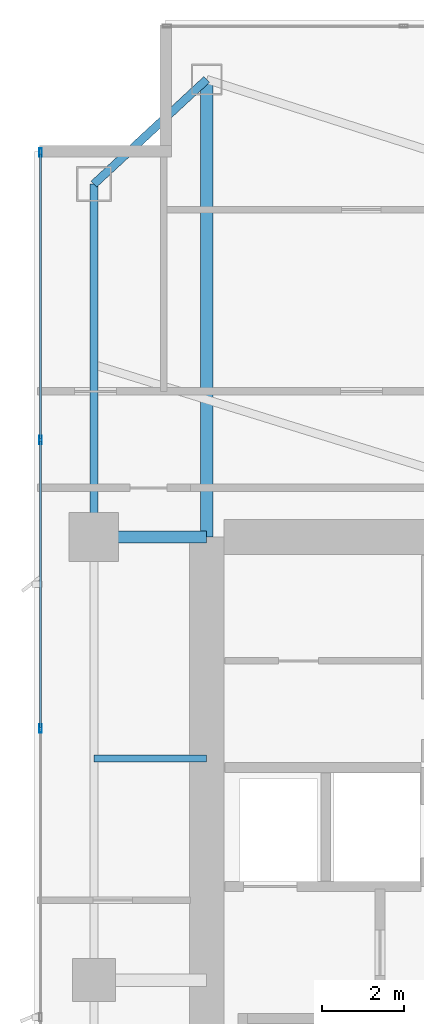
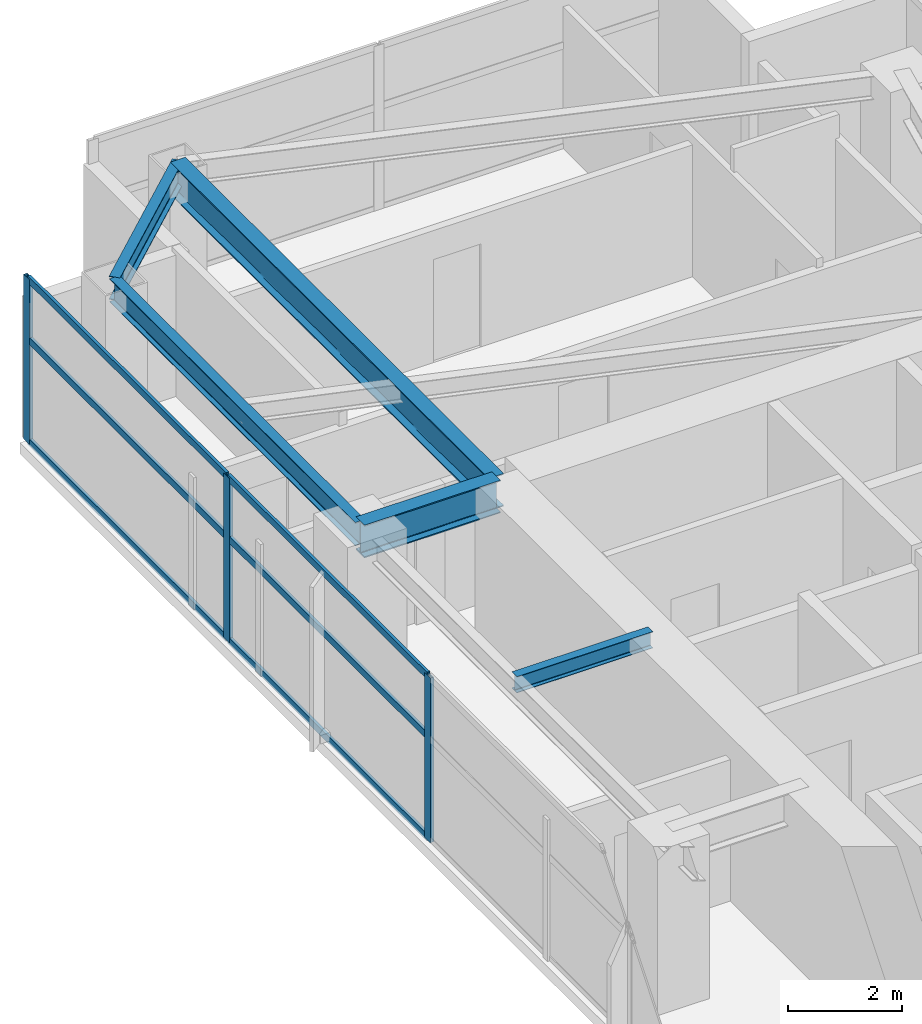
# One storey, part 16 of 28: 9 members, 5 beams, 1 element without a shape of its own.
"""IFC4 building model written with IfcOpenShell, lengths in metres."""

from ifc_helpers import new_model, si_unit, direction, frame, origin, origin_2d, place, context, subcontext, project, spatial, hollow_rectangle, i_section, extrude, material, layer, layer_set, material_profile, profile_set, type_object, element, aggregate, save


model = new_model("IFC4")

# Units and contexts
model_context = context("Model", 3, precision=1e-05, world=origin(), true_north=direction((0.0, 1.0)))
body_context = subcontext(model_context, "Body", "Model", "MODEL_VIEW")
ifc_project = project(units=[si_unit("LENGTHUNIT", "METRE"), si_unit("AREAUNIT", "SQUARE_METRE"), si_unit("VOLUMEUNIT", "CUBIC_METRE"), si_unit("PLANEANGLEUNIT", "RADIAN"), si_unit("MASSUNIT", "GRAM", prefix="KILO")], contexts=[model_context])

# Site, building, storey
site_placement = place(None, origin())
site = spatial("IfcSite", under=ifc_project, at=site_placement, CompositionType="ELEMENT")
building_placement = place(site_placement, origin())
building = spatial("IfcBuilding", under=site, at=building_placement, Name="Calvorn Quay Hotel", CompositionType="ELEMENT")
storey_placement = place(building_placement, frame((0.0, 0.0, 135.39990234375)))
storey = spatial("IfcBuildingStorey", under=building, at=storey_placement, Name="L33", CompositionType="ELEMENT", Elevation=135.39990234375)

# Beams
ifc_material_1 = material(Name="Steel Q390GJC", Category="steel")
ifc_material_profile_1 = material_profile(ifc_material_1, i_section(OverallWidth=0.300048828125, OverallDepth=0.699951171875, WebThickness=0.012939453125, FlangeThickness=0.02392578125, FilletRadius=0.02392578125, at=origin_2d()), Name="HN700x300x13x24")
ifc_profile_set_1 = profile_set([ifc_material_profile_1], Name="Steel Q390GJC")
beam_type_1 = type_object("IfcBeamType", Name="BM-GIRD-MAIN", PredefinedType="BEAM", material=ifc_profile_set_1)
beam_1_placement = place(storey_placement, frame((1.449951171875, 38.39990234375, 3.170166015625), z_axis=(1.0, 0.0, 0.0), x_axis=(0.0, 1.0, 0.0)))
element("IfcBeam", 1, at=beam_1_placement, inside=storey, type_object=beam_type_1, Name="Beam BG-L33-W3", PredefinedType="BEAM", context=body_context, shape_type="SweptSolid", body=[
    extrude(i_section(OverallWidth=0.300048828125, OverallDepth=0.699951171875, WebThickness=0.012939453125, FlangeThickness=0.02392578125, FilletRadius=0.02392578125, at=origin_2d()), origin(), (0.0, 0.0, 1.0), 2.75),
])
beam_2_placement = place(storey_placement, frame((4.199951171875, 49.550048828125, 3.170166015625), z_axis=(0.0, -1.0, 0.0), x_axis=(1.0, 0.0, 0.0)))
element("IfcBeam", 2, at=beam_2_placement, inside=storey, type_object=beam_type_1, Name="Beam BG-L33-W5", PredefinedType="BEAM", context=body_context, shape_type="SweptSolid", body=[
    extrude(i_section(OverallWidth=0.300048828125, OverallDepth=0.699951171875, WebThickness=0.012939453125, FlangeThickness=0.02392578125, FilletRadius=0.02392578125, at=origin_2d()), origin(), (0.0, 0.0, 1.0), 11.150146484375),
])
ifc_material_2 = material(Name="Steel Q355B", Category="steel")
ifc_material_profile_2 = material_profile(ifc_material_2, i_section(OverallWidth=0.175048828125, OverallDepth=0.35009765625, WebThickness=0.007080078125, FlangeThickness=0.010986328125, FilletRadius=0.013916015625, at=origin_2d()), Name="HN350x175x7x11")
ifc_profile_set_2 = profile_set([ifc_material_profile_2], Name="Steel Q355B")
beam_type_2 = type_object("IfcBeamType", Name="BM-JOIST-SEC", PredefinedType="JOIST", material=ifc_profile_set_2)
beam_3_placement = place(storey_placement, frame((1.449951171875, 33.0, 3.34521484375), z_axis=(1.0, 0.0, 0.0), x_axis=(0.0, 1.0, 0.0)))
element("IfcBeam", 3, at=beam_3_placement, inside=storey, type_object=beam_type_2, Name="Beam BJ-L33-W4", PredefinedType="JOIST", context=body_context, shape_type="SweptSolid", body=[
    extrude(i_section(OverallWidth=0.175048828125, OverallDepth=0.35009765625, WebThickness=0.007080078125, FlangeThickness=0.010986328125, FilletRadius=0.013916015625, at=origin_2d()), origin(), (0.0, 0.0, 1.0), 2.75),
])
ifc_material_3 = material(Name="Steel Q355B", Category="steel")
ifc_material_profile_3 = material_profile(ifc_material_3, i_section(OverallWidth=0.199951171875, OverallDepth=0.5, WebThickness=0.010009765625, FlangeThickness=0.01611328125, FilletRadius=0.01611328125, at=origin_2d()), Name="HN500x200x10x16")
ifc_profile_set_3 = profile_set([ifc_material_profile_3], Name="Steel Q355B")
beam_type_3 = type_object("IfcBeamType", Name="BM-SPANDREL-Z1", PredefinedType="SPANDREL", material=ifc_profile_set_3)
beam_4_placement = place(storey_placement, frame((1.449951171875, 38.39990234375, 3.27001953125), z_axis=(0.0, 1.0, 0.0), x_axis=(-1.0, 0.0, 0.0)))
element("IfcBeam", 4, at=beam_4_placement, inside=storey, type_object=beam_type_3, Name="Beam BSP-L33-W4", PredefinedType="SPANDREL", context=body_context, shape_type="SweptSolid", body=[
    extrude(i_section(OverallWidth=0.199951171875, OverallDepth=0.5, WebThickness=0.010009765625, FlangeThickness=0.01611328125, FilletRadius=0.01611328125, at=origin_2d()), origin(), (0.0, 0.0, 1.0), 8.60009765625),
])
beam_5_placement = place(storey_placement, frame((1.449951171875, 47.0, 3.27001953125), z_axis=(0.733261665538, 0.679946563969, 0.0), x_axis=(-0.679946563969, 0.733261665538, 0.0)))
element("IfcBeam", 5, at=beam_5_placement, inside=storey, type_object=beam_type_3, Name="Beam BSP-L33-W5", PredefinedType="SPANDREL", context=body_context, shape_type="SweptSolid", body=[
    extrude(i_section(OverallWidth=0.199951171875, OverallDepth=0.5, WebThickness=0.010009765625, FlangeThickness=0.01611328125, FilletRadius=0.01611328125, at=origin_2d()), origin(), (0.0, 0.0, 1.0), 3.75048828125),
])

# Curtain wall, members
ifc_material_4 = material(Name="Pale Anodised Aluminium and Low-E Glass", Category="aluminium")
ifc_layer = layer(ifc_material_4, 0.219970703125)
ifc_layer_set = layer_set([ifc_layer], Name="CW-SYS-Z2")
curtain_wall_type = type_object("IfcCurtainWallType", Name="CW-SYS-Z2", PredefinedType="NOTDEFINED", material=ifc_layer_set)
curtain_wall_placement = place(storey_placement, origin())
curtain_wall = element("IfcCurtainWall", 6, at=curtain_wall_placement, inside=storey, type_object=curtain_wall_type, Name="Tower West Curtain Wall (L33)", PredefinedType="NOTDEFINED")
ifc_material_5 = material(Name="Pale Anodised Aluminium 6063-T6", Category="aluminium")
ifc_material_profile_4 = material_profile(ifc_material_5, hollow_rectangle(XDim=0.070068359375, YDim=0.199951171875, WallThickness=0.00390625, at=origin_2d()), Name="ALU-M200x70x4")
ifc_profile_set_4 = profile_set([ifc_material_profile_4], Name="Pale Anodised Aluminium 6063-T6")
member_type_1 = type_object("IfcMemberType", Name="CW-SYS-Z2-MUL", PredefinedType="MULLION", material=ifc_profile_set_4)
member_1_placement = place(storey_placement, frame((0.14990234375, 33.7333984375, 0.0), z_axis=(0.0, 0.0, 1.0), x_axis=(-1.0, 0.0, 0.0)))
member_1 = element("IfcMember", 7, at=member_1_placement, type_object=member_type_1, Name="CW-L33-W mullion 5", PredefinedType="MULLION", context=body_context, shape_type="SweptSolid", body=[
    extrude(hollow_rectangle(XDim=0.070068359375, YDim=0.199951171875, WallThickness=0.00390625, at=origin_2d()), origin(), (0.0, 0.0, 1.0), 3.52001953125),
])
member_2_placement = place(storey_placement, frame((0.14990234375, 40.7666015625, 0.0), z_axis=(0.0, 0.0, 1.0), x_axis=(-1.0, 0.0, 0.0)))
member_2 = element("IfcMember", 8, at=member_2_placement, type_object=member_type_1, Name="CW-L33-W mullion 6", PredefinedType="MULLION", context=body_context, shape_type="SweptSolid", body=[
    extrude(hollow_rectangle(XDim=0.070068359375, YDim=0.199951171875, WallThickness=0.00390625, at=origin_2d()), origin(), (0.0, 0.0, 1.0), 3.52001953125),
])
member_3_placement = place(storey_placement, frame((0.14990234375, 47.77001953125, 0.0), z_axis=(0.0, 0.0, 1.0), x_axis=(-1.0, 0.0, 0.0)))
member_3 = element("IfcMember", 9, at=member_3_placement, type_object=member_type_1, Name="CW-L33-W mullion 7", PredefinedType="MULLION", context=body_context, shape_type="SweptSolid", body=[
    extrude(hollow_rectangle(XDim=0.070068359375, YDim=0.199951171875, WallThickness=0.00390625, at=origin_2d()), origin(), (0.0, 0.0, 1.0), 3.52001953125),
])
ifc_material_6 = material(Name="Pale Anodised Aluminium 6063-T6", Category="aluminium")
ifc_material_profile_5 = material_profile(ifc_material_6, hollow_rectangle(XDim=0.06005859375, YDim=0.14990234375, WallThickness=0.00341796875, at=origin_2d()), Name="ALU-T150x60x3.5")
ifc_profile_set_5 = profile_set([ifc_material_profile_5], Name="Pale Anodised Aluminium 6063-T6")
member_type_2 = type_object("IfcMemberType", Name="CW-SYS-Z2-TRN", PredefinedType="USERDEFINED", material=ifc_profile_set_5)
member_4_placement = place(storey_placement, frame((0.14990234375, 33.763427734375, 0.030029296875), z_axis=(0.0, 1.0, 0.0), x_axis=(-1.0, 0.0, 0.0)))
member_4 = element("IfcMember", 10, at=member_4_placement, type_object=member_type_2, Name="CW-L33-W transom 5.1", ObjectType="TRANSOM", PredefinedType="USERDEFINED", context=body_context, shape_type="SweptSolid", body=[
    extrude(hollow_rectangle(XDim=0.06005859375, YDim=0.14990234375, WallThickness=0.00341796875, at=origin_2d()), origin(), (0.0, 0.0, 1.0), 6.97314453125),
])
member_5_placement = place(storey_placement, frame((0.14990234375, 33.763427734375, 2.2001953125), z_axis=(0.0, 1.0, 0.0), x_axis=(-1.0, 0.0, 0.0)))
member_5 = element("IfcMember", 11, at=member_5_placement, type_object=member_type_2, Name="CW-L33-W transom 5.2", ObjectType="TRANSOM", PredefinedType="USERDEFINED", context=body_context, shape_type="SweptSolid", body=[
    extrude(hollow_rectangle(XDim=0.06005859375, YDim=0.14990234375, WallThickness=0.00341796875, at=origin_2d()), origin(), (0.0, 0.0, 1.0), 6.97314453125),
])
member_6_placement = place(storey_placement, frame((0.14990234375, 33.763427734375, 3.489990234375), z_axis=(0.0, 1.0, 0.0), x_axis=(-1.0, 0.0, 0.0)))
member_6 = element("IfcMember", 12, at=member_6_placement, type_object=member_type_2, Name="CW-L33-W transom 5.3", ObjectType="TRANSOM", PredefinedType="USERDEFINED", context=body_context, shape_type="SweptSolid", body=[
    extrude(hollow_rectangle(XDim=0.06005859375, YDim=0.14990234375, WallThickness=0.00341796875, at=origin_2d()), origin(), (0.0, 0.0, 1.0), 6.97314453125),
])
member_7_placement = place(storey_placement, frame((0.14990234375, 40.796630859375, 0.030029296875), z_axis=(0.0, 1.0, 0.0), x_axis=(-1.0, 0.0, 0.0)))
member_7 = element("IfcMember", 13, at=member_7_placement, type_object=member_type_2, Name="CW-L33-W transom 6.1", ObjectType="TRANSOM", PredefinedType="USERDEFINED", context=body_context, shape_type="SweptSolid", body=[
    extrude(hollow_rectangle(XDim=0.06005859375, YDim=0.14990234375, WallThickness=0.00341796875, at=origin_2d()), origin(), (0.0, 0.0, 1.0), 6.943359375),
])
member_8_placement = place(storey_placement, frame((0.14990234375, 40.796630859375, 2.2001953125), z_axis=(0.0, 1.0, 0.0), x_axis=(-1.0, 0.0, 0.0)))
member_8 = element("IfcMember", 14, at=member_8_placement, type_object=member_type_2, Name="CW-L33-W transom 6.2", ObjectType="TRANSOM", PredefinedType="USERDEFINED", context=body_context, shape_type="SweptSolid", body=[
    extrude(hollow_rectangle(XDim=0.06005859375, YDim=0.14990234375, WallThickness=0.00341796875, at=origin_2d()), origin(), (0.0, 0.0, 1.0), 6.943359375),
])
member_9_placement = place(storey_placement, frame((0.14990234375, 40.796630859375, 3.489990234375), z_axis=(0.0, 1.0, 0.0), x_axis=(-1.0, 0.0, 0.0)))
member_9 = element("IfcMember", 15, at=member_9_placement, type_object=member_type_2, Name="CW-L33-W transom 6.3", ObjectType="TRANSOM", PredefinedType="USERDEFINED", context=body_context, shape_type="SweptSolid", body=[
    extrude(hollow_rectangle(XDim=0.06005859375, YDim=0.14990234375, WallThickness=0.00341796875, at=origin_2d()), origin(), (0.0, 0.0, 1.0), 6.943359375),
])
aggregate(curtain_wall, [member_1, member_2, member_3, member_4, member_5, member_6, member_7, member_8, member_9])

save(model, "model.ifc")
